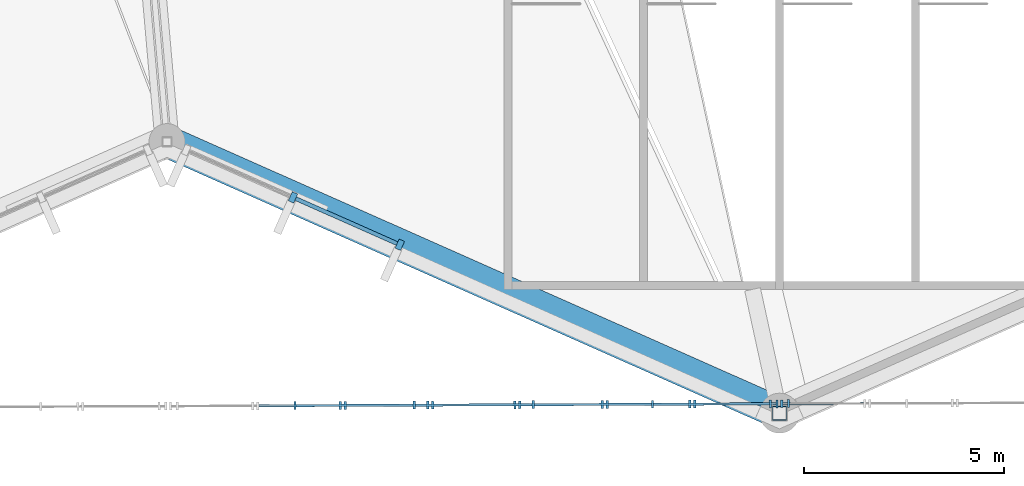
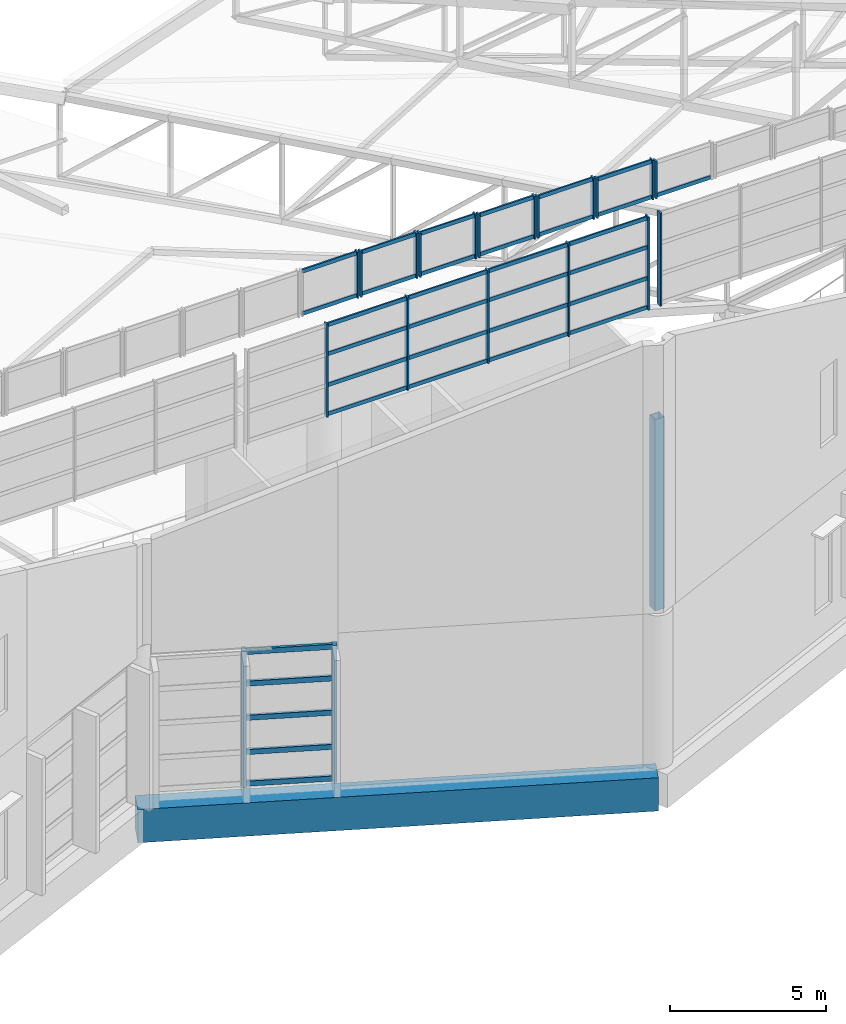
# One storey, part 36 of 344: 55 members, 1 beam, 10 elements without a shape of their own.
"""IFC4 building model written with IfcOpenShell, lengths in metres."""

from ifc_helpers import new_model, si_unit, direction, frame, origin, origin_2d, place, context, subcontext, project, spatial, rectangle, hollow_rectangle, extrude, material, layer, layer_set, material_profile, profile_set, type_object, element, aggregate, save


model = new_model("IFC4")

# Units and contexts
model_context = context("Model", 3, precision=1e-05, world=origin(), true_north=direction((0.0, 1.0)))
body_context = subcontext(model_context, "Body", "Model", "MODEL_VIEW")
ifc_project = project(units=[si_unit("LENGTHUNIT", "METRE"), si_unit("AREAUNIT", "SQUARE_METRE"), si_unit("VOLUMEUNIT", "CUBIC_METRE"), si_unit("PLANEANGLEUNIT", "RADIAN"), si_unit("MASSUNIT", "GRAM", prefix="KILO")], contexts=[model_context])

# Site, building, storey
site_placement = place(None, origin())
site = spatial("IfcSite", under=ifc_project, at=site_placement, CompositionType="ELEMENT")
building_placement = place(site_placement, origin())
building = spatial("IfcBuilding", under=site, at=building_placement, Name="Meseta Stadium", CompositionType="ELEMENT")
storey_placement = place(building_placement, frame((0.0, 0.0, 24.0)))
storey = spatial("IfcBuildingStorey", under=building, at=storey_placement, Name="L04", CompositionType="ELEMENT", Elevation=24.0)

# Curtain wall, member
ifc_material_1 = material(Name="Aluminium", Category="aluminium")
ifc_layer_1 = layer(ifc_material_1, 0.199951171875)
ifc_layer_set_1 = layer_set([ifc_layer_1], Name="Gable glazing curtain wall")
curtain_wall_type_1 = type_object("IfcCurtainWallType", Name="Gable glazing curtain wall", PredefinedType="NOTDEFINED", material=ifc_layer_set_1)
curtain_wall_1_placement = place(storey_placement, origin())
curtain_wall_1 = element("IfcCurtainWall", 1, at=curtain_wall_1_placement, inside=storey, type_object=curtain_wall_type_1, Name="Gable glazing south bay 23", PredefinedType="NOTDEFINED")
ifc_material_2 = material(Name="Aluminium", Category="aluminium")
ifc_material_profile_1 = material_profile(ifc_material_2, rectangle(XDim=0.199951171875, YDim=0.06005859375, at=origin_2d()), Name="CW 200x60")
ifc_profile_set_1 = profile_set([ifc_material_profile_1], Name="Aluminium")
member_type_1 = type_object("IfcMemberType", Name="CW mullion 60x200", PredefinedType="MULLION", material=ifc_profile_set_1)
member_1_placement = place(storey_placement, frame((12.003662109375, -105.206298828125, 21.85498046875), z_axis=(0.0, 0.0, 1.0), x_axis=(-0.003847534233, 0.999992598213, 0.0)))
member_1 = element("IfcMember", 2, at=member_1_placement, type_object=member_type_1, Name="CWG mullion 2", PredefinedType="MULLION", context=body_context, shape_type="SweptSolid", body=[
    extrude(rectangle(XDim=0.199951171875, YDim=0.06005859375, at=origin_2d()), origin(), (0.0, 0.0, 1.0), 1.805419921875),
])

# Curtain wall, members
curtain_wall_2_placement = place(storey_placement, origin())
curtain_wall_2 = element("IfcCurtainWall", 3, at=curtain_wall_2_placement, inside=storey, type_object=curtain_wall_type_1, Name="Gable glazing south bay 24", PredefinedType="NOTDEFINED")
member_2_placement = place(storey_placement, frame((12.12744140625, -105.205810546875, 21.85498046875), z_axis=(0.0, 0.0, 1.0), x_axis=(-0.003847534233, 0.999992598213, 0.0)))
member_2 = element("IfcMember", 4, at=member_2_placement, type_object=member_type_1, Name="CWG mullion 1", PredefinedType="MULLION", context=body_context, shape_type="SweptSolid", body=[
    extrude(rectangle(XDim=0.199951171875, YDim=0.06005859375, at=origin_2d()), origin(), (0.0, 0.0, 1.0), 1.7744140625),
])
member_3_placement = place(storey_placement, frame((14.190185546875, -105.197998046875, 21.85498046875), z_axis=(0.0, 0.0, 1.0), x_axis=(-0.003847534233, 0.999992598213, 0.0)))
member_3 = element("IfcMember", 5, at=member_3_placement, type_object=member_type_1, Name="CWG mullion 2", PredefinedType="MULLION", context=body_context, shape_type="SweptSolid", body=[
    extrude(rectangle(XDim=0.199951171875, YDim=0.06005859375, at=origin_2d()), origin(), (0.0, 0.0, 1.0), 1.7744140625),
])

curtain_wall_3_placement = place(storey_placement, origin())
curtain_wall_3 = element("IfcCurtainWall", 6, at=curtain_wall_3_placement, inside=storey, type_object=curtain_wall_type_1, Name="Gable glazing south bay 25", PredefinedType="NOTDEFINED")
member_4_placement = place(storey_placement, frame((14.314208984375, -105.197509765625, 21.85498046875), z_axis=(0.0, 0.0, 1.0), x_axis=(-0.003847534233, 0.999992598213, 0.0)))
member_4 = element("IfcMember", 7, at=member_4_placement, type_object=member_type_1, Name="CWG mullion 1", PredefinedType="MULLION", context=body_context, shape_type="SweptSolid", body=[
    extrude(rectangle(XDim=0.199951171875, YDim=0.06005859375, at=origin_2d()), origin(), (0.0, 0.0, 1.0), 1.732666015625),
])
member_5_placement = place(storey_placement, frame((16.376953125, -105.189453125, 21.85498046875), z_axis=(0.0, 0.0, 1.0), x_axis=(-0.003847534233, 0.999992598213, 0.0)))
member_5 = element("IfcMember", 8, at=member_5_placement, type_object=member_type_1, Name="CWG mullion 2", PredefinedType="MULLION", context=body_context, shape_type="SweptSolid", body=[
    extrude(rectangle(XDim=0.199951171875, YDim=0.06005859375, at=origin_2d()), origin(), (0.0, 0.0, 1.0), 1.732666015625),
])

curtain_wall_4_placement = place(storey_placement, origin())
curtain_wall_4 = element("IfcCurtainWall", 9, at=curtain_wall_4_placement, inside=storey, type_object=curtain_wall_type_1, Name="Gable glazing south bay 26", PredefinedType="NOTDEFINED")
member_6_placement = place(storey_placement, frame((16.5009765625, -105.18896484375, 21.85498046875), z_axis=(0.0, 0.0, 1.0), x_axis=(-0.003847534233, 0.999992598213, 0.0)))
member_6 = element("IfcMember", 10, at=member_6_placement, type_object=member_type_1, Name="CWG mullion 1", PredefinedType="MULLION", context=body_context, shape_type="SweptSolid", body=[
    extrude(rectangle(XDim=0.199951171875, YDim=0.06005859375, at=origin_2d()), origin(), (0.0, 0.0, 1.0), 1.679931640625),
])
member_7_placement = place(storey_placement, frame((18.563720703125, -105.18115234375, 21.85498046875), z_axis=(0.0, 0.0, 1.0), x_axis=(-0.003847534233, 0.999992598213, 0.0)))
member_7 = element("IfcMember", 11, at=member_7_placement, type_object=member_type_1, Name="CWG mullion 2", PredefinedType="MULLION", context=body_context, shape_type="SweptSolid", body=[
    extrude(rectangle(XDim=0.199951171875, YDim=0.06005859375, at=origin_2d()), origin(), (0.0, 0.0, 1.0), 1.679931640625),
])

curtain_wall_5_placement = place(storey_placement, origin())
curtain_wall_5 = element("IfcCurtainWall", 12, at=curtain_wall_5_placement, inside=storey, type_object=curtain_wall_type_1, Name="Gable glazing south bay 27", PredefinedType="NOTDEFINED")
member_8_placement = place(storey_placement, frame((18.687744140625, -105.1806640625, 21.85498046875), z_axis=(0.0, 0.0, 1.0), x_axis=(-0.003847534233, 0.999992598213, 0.0)))
member_8 = element("IfcMember", 13, at=member_8_placement, type_object=member_type_1, Name="CWG mullion 1", PredefinedType="MULLION", context=body_context, shape_type="SweptSolid", body=[
    extrude(rectangle(XDim=0.199951171875, YDim=0.06005859375, at=origin_2d()), origin(), (0.0, 0.0, 1.0), 1.615966796875),
])
member_9_placement = place(storey_placement, frame((20.75048828125, -105.172607421875, 21.85498046875), z_axis=(0.0, 0.0, 1.0), x_axis=(-0.003847534233, 0.999992598213, 0.0)))
member_9 = element("IfcMember", 14, at=member_9_placement, type_object=member_type_1, Name="CWG mullion 2", PredefinedType="MULLION", context=body_context, shape_type="SweptSolid", body=[
    extrude(rectangle(XDim=0.199951171875, YDim=0.06005859375, at=origin_2d()), origin(), (0.0, 0.0, 1.0), 1.615966796875),
])

curtain_wall_6_placement = place(storey_placement, origin())
curtain_wall_6 = element("IfcCurtainWall", 15, at=curtain_wall_6_placement, inside=storey, type_object=curtain_wall_type_1, Name="Gable glazing south bay 28", PredefinedType="NOTDEFINED")
member_10_placement = place(storey_placement, frame((20.874267578125, -105.172119140625, 21.85498046875), z_axis=(0.0, 0.0, 1.0), x_axis=(-0.003847534233, 0.999992598213, 0.0)))
member_10 = element("IfcMember", 16, at=member_10_placement, type_object=member_type_1, Name="CWG mullion 1", PredefinedType="MULLION", context=body_context, shape_type="SweptSolid", body=[
    extrude(rectangle(XDim=0.199951171875, YDim=0.06005859375, at=origin_2d()), origin(), (0.0, 0.0, 1.0), 1.540771484375),
])
member_11_placement = place(storey_placement, frame((22.93701171875, -105.164306640625, 21.85498046875), z_axis=(0.0, 0.0, 1.0), x_axis=(-0.003847534233, 0.999992598213, 0.0)))
member_11 = element("IfcMember", 17, at=member_11_placement, type_object=member_type_1, Name="CWG mullion 2", PredefinedType="MULLION", context=body_context, shape_type="SweptSolid", body=[
    extrude(rectangle(XDim=0.199951171875, YDim=0.06005859375, at=origin_2d()), origin(), (0.0, 0.0, 1.0), 1.540771484375),
])

# Curtain wall, member
curtain_wall_7_placement = place(storey_placement, origin())
curtain_wall_7 = element("IfcCurtainWall", 18, at=curtain_wall_7_placement, inside=storey, type_object=curtain_wall_type_1, Name="Gable glazing south bay 29", PredefinedType="NOTDEFINED")
member_12_placement = place(storey_placement, frame((23.06103515625, -105.163818359375, 21.85498046875), z_axis=(0.0, 0.0, 1.0), x_axis=(-0.003847534181, 0.999992598213, 0.0)))
member_12 = element("IfcMember", 19, at=member_12_placement, type_object=member_type_1, Name="CWG mullion 1", PredefinedType="MULLION", context=body_context, shape_type="SweptSolid", body=[
    extrude(rectangle(XDim=0.199951171875, YDim=0.06005859375, at=origin_2d()), origin(), (0.0, 0.0, 1.0), 1.45361328125),
])

# Curtain wall, members
curtain_wall_8_placement = place(storey_placement, origin())
curtain_wall_8 = element("IfcCurtainWall", 20, at=curtain_wall_8_placement, inside=storey, type_object=curtain_wall_type_1, Name="Gable glazing south lower bay 04", PredefinedType="NOTDEFINED")
member_13_placement = place(storey_placement, frame((10.870849609375, -105.210693359375, 17.60009765625), z_axis=(0.0, 0.0, 1.0), x_axis=(-0.003847534198, 0.999992598213, 0.0)))
member_13 = element("IfcMember", 21, at=member_13_placement, type_object=member_type_1, Name="CWG mullion 2", PredefinedType="MULLION", context=body_context, shape_type="SweptSolid", body=[
    extrude(rectangle(XDim=0.199951171875, YDim=0.06005859375, at=origin_2d()), origin(), (0.0, 0.0, 1.0), 3.635009765625),
])
member_14_placement = place(storey_placement, frame((13.85400390625, -105.19921875, 17.60009765625), z_axis=(0.0, 0.0, 1.0), x_axis=(-0.003847534198, 0.999992598213, 0.0)))
member_14 = element("IfcMember", 22, at=member_14_placement, type_object=member_type_1, Name="CWG mullion 3", PredefinedType="MULLION", context=body_context, shape_type="SweptSolid", body=[
    extrude(rectangle(XDim=0.199951171875, YDim=0.06005859375, at=origin_2d()), origin(), (0.0, 0.0, 1.0), 3.635009765625),
])
member_15_placement = place(storey_placement, frame((16.837158203125, -105.187744140625, 17.60009765625), z_axis=(0.0, 0.0, 1.0), x_axis=(-0.003847534198, 0.999992598213, 0.0)))
member_15 = element("IfcMember", 23, at=member_15_placement, type_object=member_type_1, Name="CWG mullion 4", PredefinedType="MULLION", context=body_context, shape_type="SweptSolid", body=[
    extrude(rectangle(XDim=0.199951171875, YDim=0.06005859375, at=origin_2d()), origin(), (0.0, 0.0, 1.0), 3.635009765625),
])
member_16_placement = place(storey_placement, frame((19.8203125, -105.17626953125, 17.60009765625), z_axis=(0.0, 0.0, 1.0), x_axis=(-0.003847534198, 0.999992598213, 0.0)))
member_16 = element("IfcMember", 24, at=member_16_placement, type_object=member_type_1, Name="CWG mullion 5", PredefinedType="MULLION", context=body_context, shape_type="SweptSolid", body=[
    extrude(rectangle(XDim=0.199951171875, YDim=0.06005859375, at=origin_2d()), origin(), (0.0, 0.0, 1.0), 3.635009765625),
])
member_17_placement = place(storey_placement, frame((22.773681640625, -105.164794921875, 17.60009765625), z_axis=(0.0, 0.0, 1.0), x_axis=(-0.003847534198, 0.999992598213, 0.0)))
member_17 = element("IfcMember", 25, at=member_17_placement, type_object=member_type_1, Name="CWG mullion 6", PredefinedType="MULLION", context=body_context, shape_type="SweptSolid", body=[
    extrude(rectangle(XDim=0.199951171875, YDim=0.06005859375, at=origin_2d()), origin(), (0.0, 0.0, 1.0), 3.635009765625),
])

# Curtain wall, member
curtain_wall_9_placement = place(storey_placement, origin())
curtain_wall_9 = element("IfcCurtainWall", 26, at=curtain_wall_9_placement, inside=storey, type_object=curtain_wall_type_1, Name="Gable glazing south lower bay 05", PredefinedType="NOTDEFINED")
member_18_placement = place(storey_placement, frame((23.224609375, -105.1630859375, 17.60009765625), z_axis=(0.0, 0.0, 1.0), x_axis=(-0.003847534216, 0.999992598213, 0.0)))
member_18 = element("IfcMember", 27, at=member_18_placement, type_object=member_type_1, Name="CWG mullion 1", PredefinedType="MULLION", context=body_context, shape_type="SweptSolid", body=[
    extrude(rectangle(XDim=0.199951171875, YDim=0.06005859375, at=origin_2d()), origin(), (0.0, 0.0, 1.0), 3.635009765625),
])
aggregate(curtain_wall_9, [member_18])

# Curtain wall, members
ifc_material_3 = material(Name="Steel S355", Category="steel")
ifc_layer_2 = layer(ifc_material_3, 0.300048828125)
ifc_layer_set_2 = layer_set([ifc_layer_2], Name="Valley atrium curtain wall")
curtain_wall_type_2 = type_object("IfcCurtainWallType", Name="Valley atrium curtain wall", PredefinedType="NOTDEFINED", material=ifc_layer_set_2)
curtain_wall_10_placement = place(storey_placement, origin())
curtain_wall_10 = element("IfcCurtainWall", 28, at=curtain_wall_10_placement, inside=storey, type_object=curtain_wall_type_2, Name="Valley atrium glazing F47", PredefinedType="NOTDEFINED")
ifc_material_4 = material(Name="Steel S355", Category="steel")
ifc_material_profile_2 = material_profile(ifc_material_4, rectangle(XDim=0.25, YDim=0.14990234375, at=origin_2d()), Name="CW 250x150")
ifc_profile_set_2 = profile_set([ifc_material_profile_2], Name="Steel S355")
member_type_2 = type_object("IfcMemberType", Name="CW mullion bar 250x150", PredefinedType="MULLION", material=ifc_profile_set_2)
member_19_placement = place(storey_placement, frame((10.820068359375, -99.99853515625, 0.0), z_axis=(0.0, 0.0, 1.0), x_axis=(0.405400794462, 0.914139046234, 0.0)))
member_19 = element("IfcMember", 29, at=member_19_placement, type_object=member_type_2, Name="CWA mullion 2", PredefinedType="MULLION", context=body_context, shape_type="SweptSolid", body=[
    extrude(rectangle(XDim=0.25, YDim=0.14990234375, at=origin_2d()), origin(), (0.0, 0.0, 1.0), 5.35009765625),
])
member_20_placement = place(storey_placement, frame((13.493896484375, -101.184326171875, 0.0), z_axis=(0.0, 0.0, 1.0), x_axis=(0.405400794462, 0.914139046234, 0.0)))
member_20 = element("IfcMember", 30, at=member_20_placement, type_object=member_type_2, Name="CWA mullion 3", PredefinedType="MULLION", context=body_context, shape_type="SweptSolid", body=[
    extrude(rectangle(XDim=0.25, YDim=0.14990234375, at=origin_2d()), origin(), (0.0, 0.0, 1.0), 5.35009765625),
])

# Member
ifc_material_5 = material(Name="Aluminium", Category="aluminium")
ifc_material_profile_3 = material_profile(ifc_material_5, rectangle(XDim=0.06005859375, YDim=0.14990234375, at=origin_2d()), Name="CW 60x150")
ifc_profile_set_3 = profile_set([ifc_material_profile_3], Name="Aluminium")
member_type_3 = type_object("IfcMemberType", Name="CW transom 60x150", PredefinedType="USERDEFINED", material=ifc_profile_set_3)
member_21_placement = place(storey_placement, frame((9.970947265625, -105.214111328125, 21.929931640625), z_axis=(0.999992859258, 0.00377907822, 0.0), x_axis=(-0.00377907822, 0.999992859258, 0.0)))
member_21 = element("IfcMember", 31, at=member_21_placement, type_object=member_type_3, Name="CWG transom 1.1", ObjectType="TRANSOM", PredefinedType="USERDEFINED", context=body_context, shape_type="SweptSolid", body=[
    extrude(rectangle(XDim=0.06005859375, YDim=0.14990234375, at=origin_2d()), origin(), (0.0, 0.0, 1.0), 2.002685546875),
])

member_22_placement = place(storey_placement, frame((9.970947265625, -105.214111328125, 23.585205078125), z_axis=(0.999992859258, 0.00377907822, 0.0), x_axis=(-0.00377907822, 0.999992859258, 0.0)))
member_22 = element("IfcMember", 32, at=member_22_placement, type_object=member_type_3, Name="CWG transom 1.2", ObjectType="TRANSOM", PredefinedType="USERDEFINED", context=body_context, shape_type="SweptSolid", body=[
    extrude(rectangle(XDim=0.06005859375, YDim=0.14990234375, at=origin_2d()), origin(), (0.0, 0.0, 1.0), 2.002685546875),
])

aggregate(curtain_wall_1, [member_1, member_21, member_22])

member_23_placement = place(storey_placement, frame((12.157470703125, -105.205810546875, 21.929931640625), z_axis=(0.99999239114, 0.003900982143, 0.0), x_axis=(-0.003900982143, 0.99999239114, 0.0)))
member_23 = element("IfcMember", 33, at=member_23_placement, type_object=member_type_3, Name="CWG transom 1.1", ObjectType="TRANSOM", PredefinedType="USERDEFINED", context=body_context, shape_type="SweptSolid", body=[
    extrude(rectangle(XDim=0.06005859375, YDim=0.14990234375, at=origin_2d()), origin(), (0.0, 0.0, 1.0), 2.002685546875),
])

member_24_placement = place(storey_placement, frame((12.157470703125, -105.205810546875, 23.554443359375), z_axis=(0.99999239114, 0.003900982143, 0.0), x_axis=(-0.003900982143, 0.99999239114, 0.0)))
member_24 = element("IfcMember", 34, at=member_24_placement, type_object=member_type_3, Name="CWG transom 1.2", ObjectType="TRANSOM", PredefinedType="USERDEFINED", context=body_context, shape_type="SweptSolid", body=[
    extrude(rectangle(XDim=0.06005859375, YDim=0.14990234375, at=origin_2d()), origin(), (0.0, 0.0, 1.0), 2.002685546875),
])

aggregate(curtain_wall_2, [member_2, member_3, member_23, member_24])

member_25_placement = place(storey_placement, frame((14.34423828125, -105.197265625, 21.929931640625), z_axis=(0.999992859258, 0.00377907822, 0.0), x_axis=(-0.00377907822, 0.999992859258, 0.0)))
member_25 = element("IfcMember", 35, at=member_25_placement, type_object=member_type_3, Name="CWG transom 1.1", ObjectType="TRANSOM", PredefinedType="USERDEFINED", context=body_context, shape_type="SweptSolid", body=[
    extrude(rectangle(XDim=0.06005859375, YDim=0.14990234375, at=origin_2d()), origin(), (0.0, 0.0, 1.0), 2.002685546875),
])

member_26_placement = place(storey_placement, frame((14.34423828125, -105.197265625, 23.5126953125), z_axis=(0.999992859258, 0.00377907822, 0.0), x_axis=(-0.00377907822, 0.999992859258, 0.0)))
member_26 = element("IfcMember", 36, at=member_26_placement, type_object=member_type_3, Name="CWG transom 1.2", ObjectType="TRANSOM", PredefinedType="USERDEFINED", context=body_context, shape_type="SweptSolid", body=[
    extrude(rectangle(XDim=0.06005859375, YDim=0.14990234375, at=origin_2d()), origin(), (0.0, 0.0, 1.0), 2.002685546875),
])

aggregate(curtain_wall_3, [member_4, member_5, member_25, member_26])

member_27_placement = place(storey_placement, frame((16.531005859375, -105.18896484375, 21.929931640625), z_axis=(0.99999239114, 0.003900982143, 0.0), x_axis=(-0.003900982143, 0.99999239114, 0.0)))
member_27 = element("IfcMember", 37, at=member_27_placement, type_object=member_type_3, Name="CWG transom 1.1", ObjectType="TRANSOM", PredefinedType="USERDEFINED", context=body_context, shape_type="SweptSolid", body=[
    extrude(rectangle(XDim=0.06005859375, YDim=0.14990234375, at=origin_2d()), origin(), (0.0, 0.0, 1.0), 2.002685546875),
])

member_28_placement = place(storey_placement, frame((16.531005859375, -105.18896484375, 23.4599609375), z_axis=(0.99999239114, 0.003900982143, 0.0), x_axis=(-0.003900982143, 0.99999239114, 0.0)))
member_28 = element("IfcMember", 38, at=member_28_placement, type_object=member_type_3, Name="CWG transom 1.2", ObjectType="TRANSOM", PredefinedType="USERDEFINED", context=body_context, shape_type="SweptSolid", body=[
    extrude(rectangle(XDim=0.06005859375, YDim=0.14990234375, at=origin_2d()), origin(), (0.0, 0.0, 1.0), 2.002685546875),
])

aggregate(curtain_wall_4, [member_6, member_7, member_27, member_28])

member_29_placement = place(storey_placement, frame((18.7177734375, -105.180419921875, 21.929931640625), z_axis=(0.999992859258, 0.00377907822, 0.0), x_axis=(-0.00377907822, 0.999992859258, 0.0)))
member_29 = element("IfcMember", 39, at=member_29_placement, type_object=member_type_3, Name="CWG transom 1.1", ObjectType="TRANSOM", PredefinedType="USERDEFINED", context=body_context, shape_type="SweptSolid", body=[
    extrude(rectangle(XDim=0.06005859375, YDim=0.14990234375, at=origin_2d()), origin(), (0.0, 0.0, 1.0), 2.002685546875),
])

member_30_placement = place(storey_placement, frame((18.7177734375, -105.180419921875, 23.39599609375), z_axis=(0.999992859258, 0.00377907822, 0.0), x_axis=(-0.00377907822, 0.999992859258, 0.0)))
member_30 = element("IfcMember", 40, at=member_30_placement, type_object=member_type_3, Name="CWG transom 1.2", ObjectType="TRANSOM", PredefinedType="USERDEFINED", context=body_context, shape_type="SweptSolid", body=[
    extrude(rectangle(XDim=0.06005859375, YDim=0.14990234375, at=origin_2d()), origin(), (0.0, 0.0, 1.0), 2.002685546875),
])

aggregate(curtain_wall_5, [member_8, member_9, member_29, member_30])

member_31_placement = place(storey_placement, frame((20.904296875, -105.172119140625, 21.929931640625), z_axis=(0.99999239114, 0.003900982143, 0.0), x_axis=(-0.003900982143, 0.99999239114, 0.0)))
member_31 = element("IfcMember", 41, at=member_31_placement, type_object=member_type_3, Name="CWG transom 1.1", ObjectType="TRANSOM", PredefinedType="USERDEFINED", context=body_context, shape_type="SweptSolid", body=[
    extrude(rectangle(XDim=0.06005859375, YDim=0.14990234375, at=origin_2d()), origin(), (0.0, 0.0, 1.0), 2.002685546875),
])

member_32_placement = place(storey_placement, frame((20.904296875, -105.172119140625, 23.32080078125), z_axis=(0.99999239114, 0.003900982143, 0.0), x_axis=(-0.003900982143, 0.99999239114, 0.0)))
member_32 = element("IfcMember", 42, at=member_32_placement, type_object=member_type_3, Name="CWG transom 1.2", ObjectType="TRANSOM", PredefinedType="USERDEFINED", context=body_context, shape_type="SweptSolid", body=[
    extrude(rectangle(XDim=0.06005859375, YDim=0.14990234375, at=origin_2d()), origin(), (0.0, 0.0, 1.0), 2.002685546875),
])

aggregate(curtain_wall_6, [member_10, member_11, member_31, member_32])

member_33_placement = place(storey_placement, frame((23.091064453125, -105.16357421875, 21.929931640625), z_axis=(0.999992912925, 0.003764850656, 0.0), x_axis=(-0.003764850656, 0.999992912925, 0.0)))
member_33 = element("IfcMember", 43, at=member_33_placement, type_object=member_type_3, Name="CWG transom 1.1", ObjectType="TRANSOM", PredefinedType="USERDEFINED", context=body_context, shape_type="SweptSolid", body=[
    extrude(rectangle(XDim=0.06005859375, YDim=0.14990234375, at=origin_2d()), origin(), (0.0, 0.0, 1.0), 2.01025390625),
])

aggregate(curtain_wall_7, [member_12, member_33])

member_34_placement = place(storey_placement, frame((10.90087890625, -105.21044921875, 17.675048828125), z_axis=(0.999992619685, 0.003841949428, 0.0), x_axis=(-0.003841949428, 0.999992619685, 0.0)))
member_34 = element("IfcMember", 44, at=member_34_placement, type_object=member_type_3, Name="CWG transom 2.1", ObjectType="TRANSOM", PredefinedType="USERDEFINED", context=body_context, shape_type="SweptSolid", body=[
    extrude(rectangle(XDim=0.06005859375, YDim=0.14990234375, at=origin_2d()), origin(), (0.0, 0.0, 1.0), 2.923095703125),
])

member_35_placement = place(storey_placement, frame((10.90087890625, -105.21044921875, 18.811767578125), z_axis=(0.999992619685, 0.003841949428, 0.0), x_axis=(-0.003841949428, 0.999992619685, 0.0)))
member_35 = element("IfcMember", 45, at=member_35_placement, type_object=member_type_3, Name="CWG transom 2.2", ObjectType="TRANSOM", PredefinedType="USERDEFINED", context=body_context, shape_type="SweptSolid", body=[
    extrude(rectangle(XDim=0.06005859375, YDim=0.14990234375, at=origin_2d()), origin(), (0.0, 0.0, 1.0), 2.923095703125),
])

member_36_placement = place(storey_placement, frame((10.90087890625, -105.21044921875, 20.0234375), z_axis=(0.999992619685, 0.003841949428, 0.0), x_axis=(-0.003841949428, 0.999992619685, 0.0)))
member_36 = element("IfcMember", 46, at=member_36_placement, type_object=member_type_3, Name="CWG transom 2.3", ObjectType="TRANSOM", PredefinedType="USERDEFINED", context=body_context, shape_type="SweptSolid", body=[
    extrude(rectangle(XDim=0.06005859375, YDim=0.14990234375, at=origin_2d()), origin(), (0.0, 0.0, 1.0), 2.923095703125),
])

member_37_placement = place(storey_placement, frame((10.90087890625, -105.21044921875, 21.159912109375), z_axis=(0.999992619685, 0.003841949428, 0.0), x_axis=(-0.003841949428, 0.999992619685, 0.0)))
member_37 = element("IfcMember", 47, at=member_37_placement, type_object=member_type_3, Name="CWG transom 2.4", ObjectType="TRANSOM", PredefinedType="USERDEFINED", context=body_context, shape_type="SweptSolid", body=[
    extrude(rectangle(XDim=0.06005859375, YDim=0.14990234375, at=origin_2d()), origin(), (0.0, 0.0, 1.0), 2.923095703125),
])

member_38_placement = place(storey_placement, frame((13.884033203125, -105.198974609375, 17.675048828125), z_axis=(0.999992619685, 0.003841949428, 0.0), x_axis=(-0.003841949428, 0.999992619685, 0.0)))
member_38 = element("IfcMember", 48, at=member_38_placement, type_object=member_type_3, Name="CWG transom 3.1", ObjectType="TRANSOM", PredefinedType="USERDEFINED", context=body_context, shape_type="SweptSolid", body=[
    extrude(rectangle(XDim=0.06005859375, YDim=0.14990234375, at=origin_2d()), origin(), (0.0, 0.0, 1.0), 2.923095703125),
])

member_39_placement = place(storey_placement, frame((13.884033203125, -105.198974609375, 18.811767578125), z_axis=(0.999992619685, 0.003841949428, 0.0), x_axis=(-0.003841949428, 0.999992619685, 0.0)))
member_39 = element("IfcMember", 49, at=member_39_placement, type_object=member_type_3, Name="CWG transom 3.2", ObjectType="TRANSOM", PredefinedType="USERDEFINED", context=body_context, shape_type="SweptSolid", body=[
    extrude(rectangle(XDim=0.06005859375, YDim=0.14990234375, at=origin_2d()), origin(), (0.0, 0.0, 1.0), 2.923095703125),
])

member_40_placement = place(storey_placement, frame((13.884033203125, -105.198974609375, 20.0234375), z_axis=(0.999992619685, 0.003841949428, 0.0), x_axis=(-0.003841949428, 0.999992619685, 0.0)))
member_40 = element("IfcMember", 50, at=member_40_placement, type_object=member_type_3, Name="CWG transom 3.3", ObjectType="TRANSOM", PredefinedType="USERDEFINED", context=body_context, shape_type="SweptSolid", body=[
    extrude(rectangle(XDim=0.06005859375, YDim=0.14990234375, at=origin_2d()), origin(), (0.0, 0.0, 1.0), 2.923095703125),
])

member_41_placement = place(storey_placement, frame((13.884033203125, -105.198974609375, 21.159912109375), z_axis=(0.999992619685, 0.003841949428, 0.0), x_axis=(-0.003841949428, 0.999992619685, 0.0)))
member_41 = element("IfcMember", 51, at=member_41_placement, type_object=member_type_3, Name="CWG transom 3.4", ObjectType="TRANSOM", PredefinedType="USERDEFINED", context=body_context, shape_type="SweptSolid", body=[
    extrude(rectangle(XDim=0.06005859375, YDim=0.14990234375, at=origin_2d()), origin(), (0.0, 0.0, 1.0), 2.923095703125),
])

member_42_placement = place(storey_placement, frame((16.8671875, -105.1875, 17.675048828125), z_axis=(0.999992619685, 0.003841949428, 0.0), x_axis=(-0.003841949428, 0.999992619685, 0.0)))
member_42 = element("IfcMember", 52, at=member_42_placement, type_object=member_type_3, Name="CWG transom 4.1", ObjectType="TRANSOM", PredefinedType="USERDEFINED", context=body_context, shape_type="SweptSolid", body=[
    extrude(rectangle(XDim=0.06005859375, YDim=0.14990234375, at=origin_2d()), origin(), (0.0, 0.0, 1.0), 2.923095703125),
])

member_43_placement = place(storey_placement, frame((16.8671875, -105.1875, 18.811767578125), z_axis=(0.999992619685, 0.003841949428, 0.0), x_axis=(-0.003841949428, 0.999992619685, 0.0)))
member_43 = element("IfcMember", 53, at=member_43_placement, type_object=member_type_3, Name="CWG transom 4.2", ObjectType="TRANSOM", PredefinedType="USERDEFINED", context=body_context, shape_type="SweptSolid", body=[
    extrude(rectangle(XDim=0.06005859375, YDim=0.14990234375, at=origin_2d()), origin(), (0.0, 0.0, 1.0), 2.923095703125),
])

member_44_placement = place(storey_placement, frame((16.8671875, -105.1875, 20.0234375), z_axis=(0.999992619685, 0.003841949428, 0.0), x_axis=(-0.003841949428, 0.999992619685, 0.0)))
member_44 = element("IfcMember", 54, at=member_44_placement, type_object=member_type_3, Name="CWG transom 4.3", ObjectType="TRANSOM", PredefinedType="USERDEFINED", context=body_context, shape_type="SweptSolid", body=[
    extrude(rectangle(XDim=0.06005859375, YDim=0.14990234375, at=origin_2d()), origin(), (0.0, 0.0, 1.0), 2.923095703125),
])

member_45_placement = place(storey_placement, frame((16.8671875, -105.1875, 21.159912109375), z_axis=(0.999992619685, 0.003841949428, 0.0), x_axis=(-0.003841949428, 0.999992619685, 0.0)))
member_45 = element("IfcMember", 55, at=member_45_placement, type_object=member_type_3, Name="CWG transom 4.4", ObjectType="TRANSOM", PredefinedType="USERDEFINED", context=body_context, shape_type="SweptSolid", body=[
    extrude(rectangle(XDim=0.06005859375, YDim=0.14990234375, at=origin_2d()), origin(), (0.0, 0.0, 1.0), 2.923095703125),
])

member_46_placement = place(storey_placement, frame((19.850341796875, -105.176025390625, 17.675048828125), z_axis=(0.999992790912, 0.003797120546, 0.0), x_axis=(-0.003797120546, 0.999992790912, 0.0)))
member_46 = element("IfcMember", 56, at=member_46_placement, type_object=member_type_3, Name="CWG transom 5.1", ObjectType="TRANSOM", PredefinedType="USERDEFINED", context=body_context, shape_type="SweptSolid", body=[
    extrude(rectangle(XDim=0.06005859375, YDim=0.14990234375, at=origin_2d()), origin(), (0.0, 0.0, 1.0), 2.893310546875),
])

member_47_placement = place(storey_placement, frame((19.850341796875, -105.176025390625, 18.811767578125), z_axis=(0.999992790912, 0.003797120546, 0.0), x_axis=(-0.003797120546, 0.999992790912, 0.0)))
member_47 = element("IfcMember", 57, at=member_47_placement, type_object=member_type_3, Name="CWG transom 5.2", ObjectType="TRANSOM", PredefinedType="USERDEFINED", context=body_context, shape_type="SweptSolid", body=[
    extrude(rectangle(XDim=0.06005859375, YDim=0.14990234375, at=origin_2d()), origin(), (0.0, 0.0, 1.0), 2.893310546875),
])

member_48_placement = place(storey_placement, frame((19.850341796875, -105.176025390625, 20.0234375), z_axis=(0.999992790912, 0.003797120546, 0.0), x_axis=(-0.003797120546, 0.999992790912, 0.0)))
member_48 = element("IfcMember", 58, at=member_48_placement, type_object=member_type_3, Name="CWG transom 5.3", ObjectType="TRANSOM", PredefinedType="USERDEFINED", context=body_context, shape_type="SweptSolid", body=[
    extrude(rectangle(XDim=0.06005859375, YDim=0.14990234375, at=origin_2d()), origin(), (0.0, 0.0, 1.0), 2.893310546875),
])

member_49_placement = place(storey_placement, frame((19.850341796875, -105.176025390625, 21.159912109375), z_axis=(0.999992790912, 0.003797120546, 0.0), x_axis=(-0.003797120546, 0.999992790912, 0.0)))
member_49 = element("IfcMember", 59, at=member_49_placement, type_object=member_type_3, Name="CWG transom 5.4", ObjectType="TRANSOM", PredefinedType="USERDEFINED", context=body_context, shape_type="SweptSolid", body=[
    extrude(rectangle(XDim=0.06005859375, YDim=0.14990234375, at=origin_2d()), origin(), (0.0, 0.0, 1.0), 2.893310546875),
])

aggregate(curtain_wall_8, [member_13, member_14, member_15, member_16, member_17, member_34, member_35, member_36, member_37, member_38, member_39, member_40, member_41, member_42, member_43, member_44, member_45, member_46, member_47, member_48, member_49])

ifc_material_6 = material(Name="Steel S355", Category="steel")
ifc_material_profile_4 = material_profile(ifc_material_6, hollow_rectangle(XDim=0.10009765625, YDim=0.199951171875, WallThickness=0.008056640625, at=origin_2d()), Name="RHS 200x100x8")
ifc_profile_set_4 = profile_set([ifc_material_profile_4], Name="Steel S355")
member_type_4 = type_object("IfcMemberType", Name="CW transom RHS 200x100x8", PredefinedType="USERDEFINED", material=ifc_profile_set_4)
member_50_placement = place(storey_placement, frame((10.888671875, -100.02880859375, 0.10009765625), z_axis=(0.914130540293, -0.405419973982, 0.0), x_axis=(0.405419973982, 0.914130540293, 0.0)))
member_50 = element("IfcMember", 60, at=member_50_placement, type_object=member_type_4, Name="CWA transom 2.1", ObjectType="TRANSOM", PredefinedType="USERDEFINED", context=body_context, shape_type="SweptSolid", body=[
    extrude(hollow_rectangle(XDim=0.10009765625, YDim=0.199951171875, WallThickness=0.008056640625, at=origin_2d()), origin(), (0.0, 0.0, 1.0), 2.77490234375),
])

member_51_placement = place(storey_placement, frame((10.888671875, -100.02880859375, 1.33740234375), z_axis=(0.914130540293, -0.405419973982, 0.0), x_axis=(0.405419973982, 0.914130540293, 0.0)))
member_51 = element("IfcMember", 61, at=member_51_placement, type_object=member_type_4, Name="CWA transom 2.2", ObjectType="TRANSOM", PredefinedType="USERDEFINED", context=body_context, shape_type="SweptSolid", body=[
    extrude(hollow_rectangle(XDim=0.10009765625, YDim=0.199951171875, WallThickness=0.008056640625, at=origin_2d()), origin(), (0.0, 0.0, 1.0), 2.77490234375),
])

member_52_placement = place(storey_placement, frame((10.888671875, -100.02880859375, 2.675048828125), z_axis=(0.914130540293, -0.405419973982, 0.0), x_axis=(0.405419973982, 0.914130540293, 0.0)))
member_52 = element("IfcMember", 62, at=member_52_placement, type_object=member_type_4, Name="CWA transom 2.3", ObjectType="TRANSOM", PredefinedType="USERDEFINED", context=body_context, shape_type="SweptSolid", body=[
    extrude(hollow_rectangle(XDim=0.10009765625, YDim=0.199951171875, WallThickness=0.008056640625, at=origin_2d()), origin(), (0.0, 0.0, 1.0), 2.77490234375),
])

member_53_placement = place(storey_placement, frame((10.888671875, -100.02880859375, 4.012451171875), z_axis=(0.914130540293, -0.405419973982, 0.0), x_axis=(0.405419973982, 0.914130540293, 0.0)))
member_53 = element("IfcMember", 63, at=member_53_placement, type_object=member_type_4, Name="CWA transom 2.4", ObjectType="TRANSOM", PredefinedType="USERDEFINED", context=body_context, shape_type="SweptSolid", body=[
    extrude(hollow_rectangle(XDim=0.10009765625, YDim=0.199951171875, WallThickness=0.008056640625, at=origin_2d()), origin(), (0.0, 0.0, 1.0), 2.77490234375),
])

member_54_placement = place(storey_placement, frame((10.888671875, -100.02880859375, 5.25), z_axis=(0.914130540293, -0.405419973982, 0.0), x_axis=(0.405419973982, 0.914130540293, 0.0)))
member_54 = element("IfcMember", 64, at=member_54_placement, type_object=member_type_4, Name="CWA transom 2.5", ObjectType="TRANSOM", PredefinedType="USERDEFINED", context=body_context, shape_type="SweptSolid", body=[
    extrude(hollow_rectangle(XDim=0.10009765625, YDim=0.199951171875, WallThickness=0.008056640625, at=origin_2d()), origin(), (0.0, 0.0, 1.0), 2.77490234375),
])

aggregate(curtain_wall_10, [member_19, member_20, member_50, member_51, member_52, member_53, member_54])

# Beam
ifc_material_7 = material(Name="Concrete C40/50", Category="concrete")
ifc_material_profile_5 = material_profile(ifc_material_7, rectangle(XDim=0.800048828125, YDim=1.300048828125, at=origin_2d()), Name="RC 800x1300")
ifc_profile_set_5 = profile_set([ifc_material_profile_5], Name="Concrete C40/50")
beam_type = type_object("IfcBeamType", Name="RC beam 800x1300", PredefinedType="BEAM", material=ifc_profile_set_5)
beam_placement = place(storey_placement, frame((7.666748046875, -98.60009765625, -1.050048828125), z_axis=(0.914142564088, -0.405392861953, 0.0), x_axis=(0.405392861953, 0.914142564088, 0.0)))
element("IfcBeam", 65, at=beam_placement, inside=storey, type_object=beam_type, Name="L04 ring beam frame 47 line R", PredefinedType="BEAM", context=body_context, shape_type="SweptSolid", body=[
    extrude(rectangle(XDim=0.800048828125, YDim=1.300048828125, at=origin_2d()), origin(), (0.0, 0.0, 1.0), 16.7734375),
])

# Member
ifc_material_8 = material(Name="Steel S355", Category="steel")
ifc_material_profile_6 = material_profile(ifc_material_8, hollow_rectangle(XDim=0.35009765625, YDim=0.35009765625, WallThickness=0.010009765625, at=origin_2d()), Name="SHS 350x350x10")
ifc_profile_set_6 = profile_set([ifc_material_profile_6], Name="Steel S355")
member_type_5 = type_object("IfcMemberType", Name="SHS 350x350x10 rim post", PredefinedType="POST", material=ifc_profile_set_6)
member_55_placement = place(storey_placement, frame((23.0, -105.39990234375, 6.0), z_axis=(0.0, 0.0, 1.0), x_axis=(1.0, 0.0, 0.0)))
element("IfcMember", 66, at=member_55_placement, inside=storey, type_object=member_type_5, Name="ROOF RIM POST RT-48", PredefinedType="POST", context=body_context, shape_type="SweptSolid", body=[
    extrude(hollow_rectangle(XDim=0.35009765625, YDim=0.35009765625, WallThickness=0.010009765625, at=origin_2d()), origin(), (0.0, 0.0, 1.0), 7.481689453125),
])

save(model, "model.ifc")
